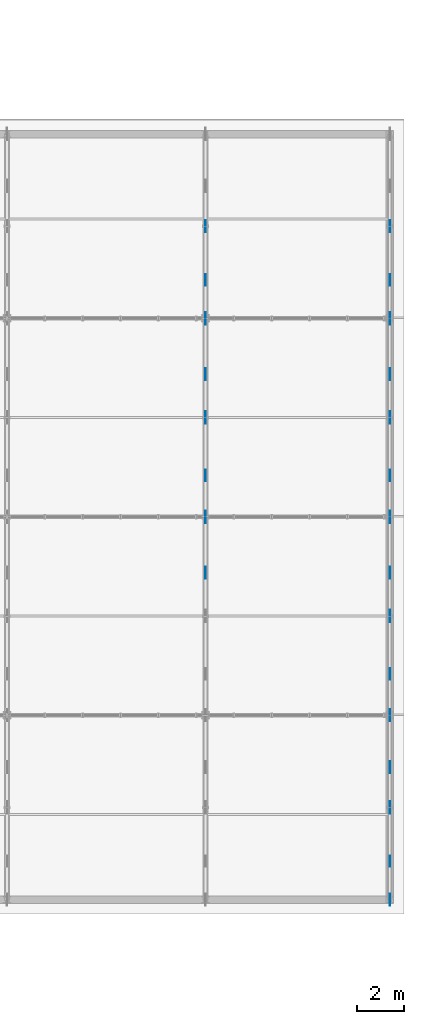
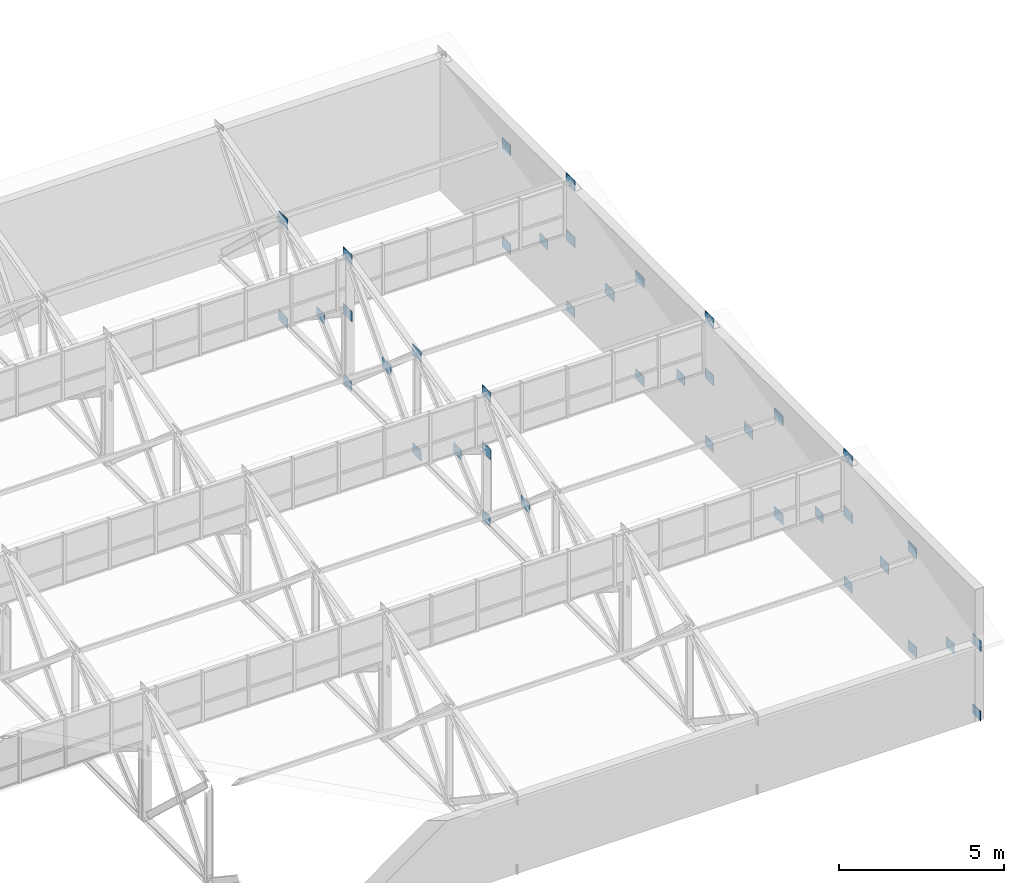
# One storey, part 98 of 123: 40 plates.
"""IFC4 building model written with IfcOpenShell, lengths in metres."""

from ifc_helpers import new_model, si_unit, direction, frame, origin, origin_2d, place, context, subcontext, project, spatial, rectangle, extrude, material, layer, layer_set, type_object, element, save


model = new_model("IFC4")

# Units and contexts
model_context = context("Model", 3, precision=1e-05, world=origin(), true_north=direction((0.0, 1.0)))
body_context = subcontext(model_context, "Body", "Model", "MODEL_VIEW")
ifc_project = project(units=[si_unit("LENGTHUNIT", "METRE"), si_unit("AREAUNIT", "SQUARE_METRE"), si_unit("VOLUMEUNIT", "CUBIC_METRE"), si_unit("PLANEANGLEUNIT", "RADIAN"), si_unit("MASSUNIT", "GRAM", prefix="KILO")], contexts=[model_context])

# Site, building, storey
site_placement = place(None, origin())
site = spatial("IfcSite", under=ifc_project, at=site_placement, CompositionType="ELEMENT")
building_placement = place(site_placement, origin())
building = spatial("IfcBuilding", under=site, at=building_placement, Name="Zayran Congress Hotel", CompositionType="ELEMENT")
storey_placement = place(building_placement, frame((0.0, 0.0, 15.0)))
storey = spatial("IfcBuildingStorey", under=building, at=storey_placement, Name="L03", CompositionType="ELEMENT", Elevation=15.0)

# Plates
ifc_material = material(Name="Steel S355", Category="steel")
ifc_layer_1 = layer(ifc_material, 0.02001953125)
ifc_layer_set_1 = layer_set([ifc_layer_1], Name="Steel S355")
plate_type_1 = type_object("IfcPlateType", Name="TP-GS-02", PredefinedType="USERDEFINED", material=ifc_layer_set_1)
for number, where, z_axis, x_axis, name in (
    (1, (176.39990234375, 34.0, -0.18017578125), (0.0, 0.0, 1.0), (0.0, 1.0, 0.0), "V3 Truss Node Gusset Plate 253"),
    (2, (176.39990234375, 27.347900390625, 1.337890625), (0.0, 0.0, 1.0), (0.0, 1.0, 0.0), "V3 Brace Crossing Gusset Plate 271"),
    (3, (176.39990234375, 35.623046875, 1.337890625), (0.0, 0.0, 1.0), (0.0, 1.0, 0.0), "V3 Brace Crossing Gusset Plate 277"),
    (4, (176.39990234375, 25.60009765625, -0.080078125), (0.0, 0.0, 1.0), (0.0, 1.0, 0.0), "PLT-GS-V3-176"),
    (5, (184.199951171875, 9.39990234375, -0.18017578125), (0.0, 0.0, 1.0), (0.0, 1.0, 0.0), "V3 Truss Node Gusset Plate 279"),
    (6, (184.199951171875, 17.199951171875, -0.18017578125), (0.0, 0.0, 1.0), (0.0, 1.0, 0.0), "V3 Truss Node Gusset Plate 280"),
    (7, (184.199951171875, 34.0, -0.18017578125), (0.0, 0.0, 1.0), (0.0, 1.0, 0.0), "V3 Truss Node Gusset Plate 281"),
    (8, (184.199951171875, 11.023193359375, 1.337890625), (0.0, 0.0, 1.0), (0.0, 1.0, 0.0), "V3 Brace Crossing Gusset Plate 287"),
    (9, (184.199951171875, 18.947998046875, 1.337890625), (0.0, 0.0, 1.0), (0.0, 1.0, 0.0), "V3 Brace Crossing Gusset Plate 293"),
    (10, (184.199951171875, 27.347900390625, 1.337890625), (0.0, 0.0, 1.0), (0.0, 1.0, 0.0), "V3 Brace Crossing Gusset Plate 299"),
    (11, (184.199951171875, 35.623046875, 1.337890625), (0.0, 0.0, 1.0), (0.0, 1.0, 0.0), "V3 Brace Crossing Gusset Plate 305"),
    (12, (184.199951171875, 25.60009765625, -0.080078125), (0.0, 0.0, 1.0), (0.0, 1.0, 0.0), "PLT-GS-V3-184"),
):
    element("IfcPlate", number, at=place(storey_placement, frame(where, z_axis=z_axis, x_axis=x_axis)), inside=storey, type_object=plate_type_1, Name=name, ObjectType="GUSSET_PLATE", PredefinedType="USERDEFINED", context=body_context, shape_type="SweptSolid", body=[
        extrude(rectangle(XDim=0.47998046875, YDim=0.02001953125, at=origin_2d()), origin(), (0.0, 0.0, 1.0), 0.360107421875),
    ])
ifc_layer_2 = layer(ifc_material, 0.02197265625)
ifc_layer_set_2 = layer_set([ifc_layer_2], Name="Steel S355")
plate_type_2 = type_object("IfcPlateType", Name="TP-GS-04", PredefinedType="USERDEFINED", material=ifc_layer_set_2)
for number, where, z_axis, x_axis, name in (
    (13, (176.39990234375, 25.60009765625, 4.50439453125), (0.0, 0.0, 1.0), (0.0, 1.0, 0.0), "V3 Truss Node Gusset Plate 264"),
    (14, (176.39990234375, 23.236328125, 1.862548828125), (0.0, 0.0, 1.0), (0.0, 1.0, 0.0), "V3 Brace Crossing Gusset Plate 266"),
    (15, (176.39990234375, 25.60009765625, 2.41015625), (0.0, 0.0, 1.0), (0.0, 1.0, 0.0), "V3 Truss Node Gusset Plate 267"),
    (16, (176.39990234375, 29.800048828125, -0.18994140625), (0.0, 0.0, 1.0), (0.0, 1.0, 0.0), "V3 Truss Node Gusset Plate 268"),
    (17, (176.39990234375, 29.800048828125, 3.457275390625), (0.0, 0.0, 1.0), (0.0, 1.0, 0.0), "V3 Truss Node Gusset Plate 269"),
    (18, (176.39990234375, 34.0, 4.50439453125), (0.0, 0.0, 1.0), (0.0, 1.0, 0.0), "V3 Truss Node Gusset Plate 270"),
    (19, (176.39990234375, 31.636474609375, 1.862548828125), (0.0, 0.0, 1.0), (0.0, 1.0, 0.0), "V3 Brace Crossing Gusset Plate 272"),
    (20, (176.39990234375, 34.0, 2.41015625), (0.0, 0.0, 1.0), (0.0, 1.0, 0.0), "V3 Truss Node Gusset Plate 273"),
    (21, (176.39990234375, 37.89990234375, -0.18994140625), (0.0, 0.0, 1.0), (0.0, 1.0, 0.0), "V3 Truss Node Gusset Plate 274"),
    (22, (176.39990234375, 37.89990234375, 3.457275390625), (0.0, 0.0, 1.0), (0.0, 1.0, 0.0), "V3 Truss Node Gusset Plate 275"),
    (23, (184.199951171875, 9.39990234375, 2.41015625), (0.0, 0.0, 1.0), (0.0, 1.0, 0.0), "V3 Truss Node Gusset Plate 283"),
    (24, (184.199951171875, 13.300048828125, -0.18994140625), (0.0, 0.0, 1.0), (0.0, 1.0, 0.0), "V3 Truss Node Gusset Plate 284"),
    (25, (184.199951171875, 13.300048828125, 3.457275390625), (0.0, 0.0, 1.0), (0.0, 1.0, 0.0), "V3 Truss Node Gusset Plate 285"),
    (26, (184.199951171875, 17.199951171875, 4.50439453125), (0.0, 0.0, 1.0), (0.0, 1.0, 0.0), "V3 Truss Node Gusset Plate 286"),
    (27, (184.199951171875, 15.005126953125, 1.862548828125), (0.0, 0.0, 1.0), (0.0, 1.0, 0.0), "V3 Brace Crossing Gusset Plate 288"),
    (28, (184.199951171875, 17.199951171875, 2.41015625), (0.0, 0.0, 1.0), (0.0, 1.0, 0.0), "V3 Truss Node Gusset Plate 289"),
    (29, (184.199951171875, 21.39990234375, -0.18994140625), (0.0, 0.0, 1.0), (0.0, 1.0, 0.0), "V3 Truss Node Gusset Plate 290"),
    (30, (184.199951171875, 21.39990234375, 3.457275390625), (0.0, 0.0, 1.0), (0.0, 1.0, 0.0), "V3 Truss Node Gusset Plate 291"),
    (31, (184.199951171875, 25.60009765625, 4.50439453125), (0.0, 0.0, 1.0), (0.0, 1.0, 0.0), "V3 Truss Node Gusset Plate 292"),
    (32, (184.199951171875, 23.236328125, 1.862548828125), (0.0, 0.0, 1.0), (0.0, 1.0, 0.0), "V3 Brace Crossing Gusset Plate 294"),
    (33, (184.199951171875, 25.60009765625, 2.41015625), (0.0, 0.0, 1.0), (0.0, 1.0, 0.0), "V3 Truss Node Gusset Plate 295"),
    (34, (184.199951171875, 29.800048828125, -0.18994140625), (0.0, 0.0, 1.0), (0.0, 1.0, 0.0), "V3 Truss Node Gusset Plate 296"),
    (35, (184.199951171875, 29.800048828125, 3.457275390625), (0.0, 0.0, 1.0), (0.0, 1.0, 0.0), "V3 Truss Node Gusset Plate 297"),
    (36, (184.199951171875, 34.0, 4.50439453125), (0.0, 0.0, 1.0), (0.0, 1.0, 0.0), "V3 Truss Node Gusset Plate 298"),
    (37, (184.199951171875, 31.636474609375, 1.862548828125), (0.0, 0.0, 1.0), (0.0, 1.0, 0.0), "V3 Brace Crossing Gusset Plate 300"),
    (38, (184.199951171875, 34.0, 2.41015625), (0.0, 0.0, 1.0), (0.0, 1.0, 0.0), "V3 Truss Node Gusset Plate 301"),
    (39, (184.199951171875, 37.89990234375, -0.18994140625), (0.0, 0.0, 1.0), (0.0, 1.0, 0.0), "V3 Truss Node Gusset Plate 302"),
    (40, (184.199951171875, 37.89990234375, 3.457275390625), (0.0, 0.0, 1.0), (0.0, 1.0, 0.0), "V3 Truss Node Gusset Plate 303"),
):
    element("IfcPlate", number, at=place(storey_placement, frame(where, z_axis=z_axis, x_axis=x_axis)), inside=storey, type_object=plate_type_2, Name=name, ObjectType="GUSSET_PLATE", PredefinedType="USERDEFINED", context=body_context, shape_type="SweptSolid", body=[
        extrude(rectangle(XDim=0.52001953125, YDim=0.02197265625, at=origin_2d()), origin(), (0.0, 0.0, 1.0), 0.3798828125),
    ])

save(model, "model.ifc")
